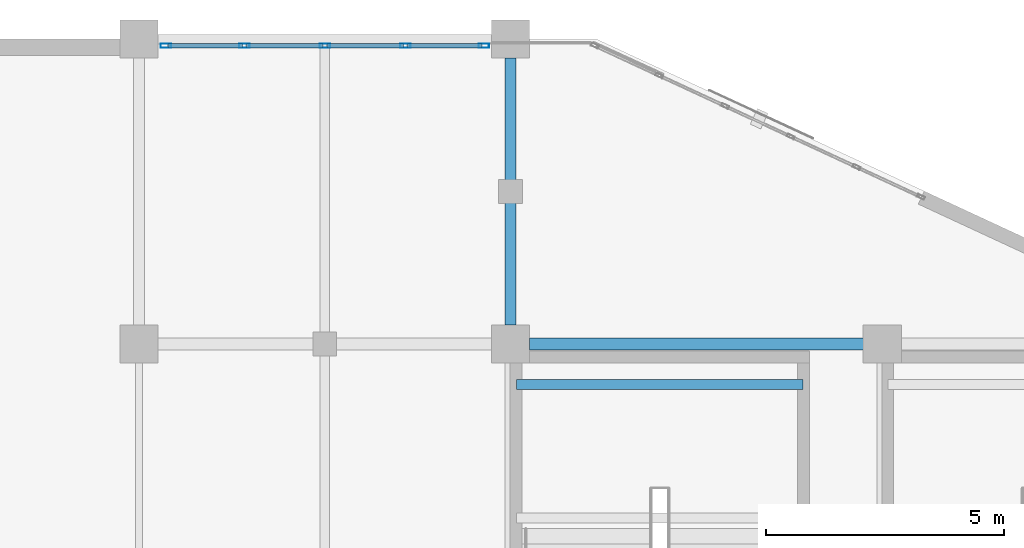
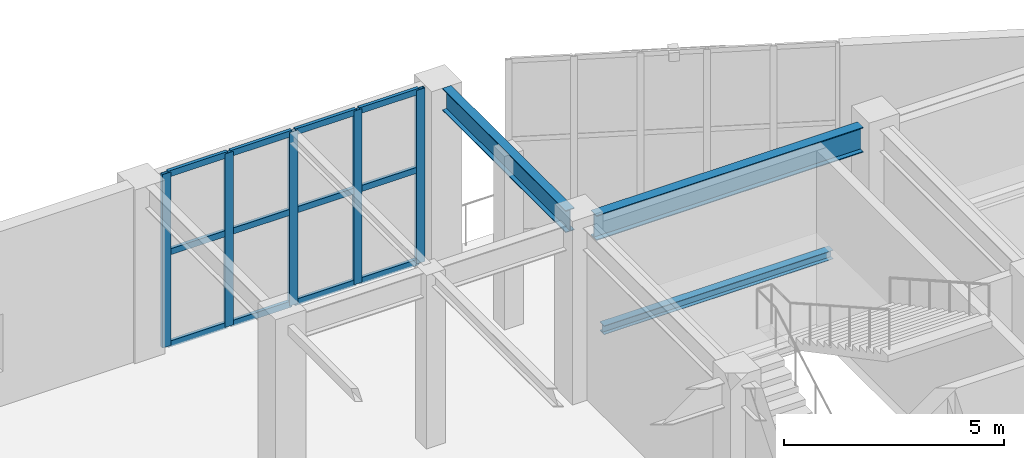
# One storey, part 91 of 128: 17 members, 3 beams, 1 element without a shape of its own.
"""IFC4 building model written with IfcOpenShell, lengths in metres."""

from ifc_helpers import new_model, si_unit, direction, frame, origin, origin_2d, place, context, subcontext, project, spatial, hollow_rectangle, i_section, extrude, material, layer, layer_set, material_profile, profile_set, type_object, element, aggregate, save


model = new_model("IFC4")

# Units and contexts
model_context = context("Model", 3, precision=1e-05, world=origin(), true_north=direction((0.0, 1.0)))
body_context = subcontext(model_context, "Body", "Model", "MODEL_VIEW")
ifc_project = project(units=[si_unit("LENGTHUNIT", "METRE"), si_unit("AREAUNIT", "SQUARE_METRE"), si_unit("VOLUMEUNIT", "CUBIC_METRE"), si_unit("PLANEANGLEUNIT", "RADIAN"), si_unit("MASSUNIT", "GRAM", prefix="KILO")], contexts=[model_context])

# Site, building, storey
site_placement = place(None, origin())
site = spatial("IfcSite", under=ifc_project, at=site_placement, CompositionType="ELEMENT")
building_placement = place(site_placement, origin())
building = spatial("IfcBuilding", under=site, at=building_placement, Name="Xicomal Pleat Aquarium", CompositionType="ELEMENT")
storey_placement = place(building_placement, frame((0.0, 0.0, 5.39990234375)))
storey = spatial("IfcBuildingStorey", under=building, at=storey_placement, Name="L02", CompositionType="ELEMENT", Elevation=5.39990234375)

# Beams
ifc_material_1 = material(Name="Structural steel A992 Gr 50", Category="steel")
ifc_material_profile_1 = material_profile(ifc_material_1, i_section(OverallWidth=0.201904296875, OverallDepth=0.2470703125, WebThickness=0.00732421875, FlangeThickness=0.010986328125, at=origin_2d()), Name="IR 250x49")
ifc_profile_set_1 = profile_set([ifc_material_profile_1], Name="Structural steel A992 Gr 50")
beam_type_1 = type_object("IfcBeamType", Name="BM-STL-IR250", PredefinedType="JOIST", material=ifc_profile_set_1)
beam_1_placement = place(storey_placement, frame((141.719970703125, 97.550048828125, 2.22900390625), z_axis=(1.0, 0.0, 0.0), x_axis=(0.0, 1.0, 0.0)))
element("IfcBeam", 1, at=beam_1_placement, inside=storey, type_object=beam_type_1, Name="ST-05-L02 half-landing bearer beam 1", PredefinedType="JOIST", context=body_context, shape_type="SweptSolid", body=[
    extrude(i_section(OverallWidth=0.201904296875, OverallDepth=0.2470703125, WebThickness=0.00732421875, FlangeThickness=0.010986328125, at=origin_2d()), origin(), (0.0, 0.0, 1.0), 6.02001953125),
])
ifc_material_2 = material(Name="Structural steel A992 Gr 50", Category="steel")
ifc_material_profile_2 = material_profile(ifc_material_2, i_section(OverallWidth=0.22998046875, OverallDepth=0.616943359375, WebThickness=0.01318359375, FlangeThickness=0.022216796875, at=origin_2d()), Name="IR 610x140")
ifc_profile_set_2 = profile_set([ifc_material_profile_2], Name="Structural steel A992 Gr 50")
beam_type_2 = type_object("IfcBeamType", Name="BM-STL-IR610", PredefinedType="BEAM", material=ifc_profile_set_2)
beam_2_placement = place(storey_placement, frame((141.60009765625, 98.794921875, 4.51171875), z_axis=(0.0, 1.0, 0.0), x_axis=(-1.0, 0.0, 0.0)))
element("IfcBeam", 2, at=beam_2_placement, inside=storey, type_object=beam_type_2, Name="L02 framing beam FGY-L02-18-P-Q", PredefinedType="BEAM", context=body_context, shape_type="SweptSolid", body=[
    extrude(i_section(OverallWidth=0.22998046875, OverallDepth=0.616943359375, WebThickness=0.01318359375, FlangeThickness=0.022216796875, at=origin_2d()), origin(), (0.0, 0.0, 1.0), 5.610107421875),
])
ifc_material_3 = material(Name="Structural steel A992 Gr 50", Category="steel")
ifc_material_profile_3 = material_profile(ifc_material_3, i_section(OverallWidth=0.256103515625, OverallDepth=0.693115234375, WebThickness=0.014404296875, FlangeThickness=0.023681640625, at=origin_2d()), Name="IR 690x170")
ifc_profile_set_3 = profile_set([ifc_material_profile_3], Name="Structural steel A992 Gr 50")
beam_type_3 = type_object("IfcBeamType", Name="BM-STL-IR690", PredefinedType="BEAM", material=ifc_profile_set_3)
beam_3_placement = place(storey_placement, frame((141.9951171875, 98.39990234375, 4.4736328125), z_axis=(1.0, 0.0, 0.0), x_axis=(0.0, 1.0, 0.0)))
element("IfcBeam", 3, at=beam_3_placement, inside=storey, type_object=beam_type_3, Name="L02 framing beam FGX-L02-18-19-P", PredefinedType="BEAM", context=body_context, shape_type="SweptSolid", body=[
    extrude(i_section(OverallWidth=0.256103515625, OverallDepth=0.693115234375, WebThickness=0.014404296875, FlangeThickness=0.023681640625, at=origin_2d()), origin(), (0.0, 0.0, 1.0), 7.009765625),
])

# Curtain wall, members
ifc_material_4 = material(Name="Bronze anodized aluminium 6063-T6", Category="aluminium")
ifc_layer = layer(ifc_material_4, 0.159912109375)
ifc_layer_set = layer_set([ifc_layer], Name="Bronze anodized aluminium 6063-T6")
curtain_wall_type = type_object("IfcCurtainWallType", Name="CW-SYS-12", PredefinedType="NOTDEFINED", material=ifc_layer_set)
curtain_wall_placement = place(storey_placement, origin())
curtain_wall = element("IfcCurtainWall", 4, at=curtain_wall_placement, inside=storey, type_object=curtain_wall_type, Name="L02 unitised curtain wall CW-L02-089", PredefinedType="NOTDEFINED")
ifc_material_5 = material(Name="Bronze anodized aluminium 6063-T6", Category="aluminium")
ifc_material_profile_4 = material_profile(ifc_material_5, hollow_rectangle(XDim=0.0849609375, YDim=0.219970703125, WallThickness=0.0048828125, at=origin_2d()), Name="ALU MULL 85x220")
ifc_profile_set_4 = profile_set([ifc_material_profile_4], Name="Bronze anodized aluminium 6063-T6")
member_type_1 = type_object("IfcMemberType", Name="CWM-85x220", PredefinedType="MULLION", material=ifc_profile_set_4)
member_1_placement = place(storey_placement, frame((134.362548828125, 104.659912109375, 0.0), z_axis=(0.0, 0.0, 1.0), x_axis=(0.0, 1.0, 0.0)))
member_1 = element("IfcMember", 5, at=member_1_placement, type_object=member_type_1, Name="CW-12 mullion 1", PredefinedType="MULLION", context=body_context, shape_type="SweptSolid", body=[
    extrude(hollow_rectangle(XDim=0.0849609375, YDim=0.219970703125, WallThickness=0.0048828125, at=origin_2d()), origin(), (0.0, 0.0, 1.0), 4.820068359375),
])
member_2_placement = place(storey_placement, frame((136.010009765625, 104.659912109375, 0.0), z_axis=(0.0, 0.0, 1.0), x_axis=(0.0, 1.0, 0.0)))
member_2 = element("IfcMember", 6, at=member_2_placement, type_object=member_type_1, Name="CW-12 mullion 2", PredefinedType="MULLION", context=body_context, shape_type="SweptSolid", body=[
    extrude(hollow_rectangle(XDim=0.0849609375, YDim=0.219970703125, WallThickness=0.0048828125, at=origin_2d()), origin(), (0.0, 0.0, 1.0), 4.820068359375),
])
member_3_placement = place(storey_placement, frame((137.699951171875, 104.659912109375, 0.0), z_axis=(0.0, 0.0, 1.0), x_axis=(0.0, 1.0, 0.0)))
member_3 = element("IfcMember", 7, at=member_3_placement, type_object=member_type_1, Name="CW-12 mullion 3", PredefinedType="MULLION", context=body_context, shape_type="SweptSolid", body=[
    extrude(hollow_rectangle(XDim=0.0849609375, YDim=0.219970703125, WallThickness=0.0048828125, at=origin_2d()), origin(), (0.0, 0.0, 1.0), 4.820068359375),
])
member_4_placement = place(storey_placement, frame((139.389892578125, 104.659912109375, 0.0), z_axis=(0.0, 0.0, 1.0), x_axis=(0.0, 1.0, 0.0)))
member_4 = element("IfcMember", 8, at=member_4_placement, type_object=member_type_1, Name="CW-12 mullion 4", PredefinedType="MULLION", context=body_context, shape_type="SweptSolid", body=[
    extrude(hollow_rectangle(XDim=0.0849609375, YDim=0.219970703125, WallThickness=0.0048828125, at=origin_2d()), origin(), (0.0, 0.0, 1.0), 4.820068359375),
])
member_5_placement = place(storey_placement, frame((141.03759765625, 104.659912109375, 0.0), z_axis=(0.0, 0.0, 1.0), x_axis=(0.0, 1.0, 0.0)))
member_5 = element("IfcMember", 9, at=member_5_placement, type_object=member_type_1, Name="CW-12 mullion 5", PredefinedType="MULLION", context=body_context, shape_type="SweptSolid", body=[
    extrude(hollow_rectangle(XDim=0.0849609375, YDim=0.219970703125, WallThickness=0.0048828125, at=origin_2d()), origin(), (0.0, 0.0, 1.0), 4.820068359375),
])
ifc_material_6 = material(Name="Bronze anodized aluminium 6063-T6", Category="aluminium")
ifc_material_profile_5 = material_profile(ifc_material_6, hollow_rectangle(XDim=0.0849609375, YDim=0.169921875, WallThickness=0.0048828125, at=origin_2d()), Name="ALU TRAN 85x170")
ifc_profile_set_5 = profile_set([ifc_material_profile_5], Name="Bronze anodized aluminium 6063-T6")
member_type_2 = type_object("IfcMemberType", Name="CWT-85x170", PredefinedType="USERDEFINED", material=ifc_profile_set_5)
member_6_placement = place(storey_placement, frame((134.405029296875, 104.659912109375, 0.04248046875), z_axis=(1.0, 0.0, 0.0), x_axis=(0.0, 1.0, 0.0)))
member_6 = element("IfcMember", 10, at=member_6_placement, type_object=member_type_2, Name="CW-12 transom 1.1", ObjectType="TRANSOM", PredefinedType="USERDEFINED", context=body_context, shape_type="SweptSolid", body=[
    extrude(hollow_rectangle(XDim=0.0849609375, YDim=0.169921875, WallThickness=0.0048828125, at=origin_2d()), origin(), (0.0, 0.0, 1.0), 1.5625),
])
member_7_placement = place(storey_placement, frame((134.405029296875, 104.659912109375, 2.60302734375), z_axis=(1.0, 0.0, 0.0), x_axis=(0.0, 1.0, 0.0)))
member_7 = element("IfcMember", 11, at=member_7_placement, type_object=member_type_2, Name="CW-12 transom 1.2", ObjectType="TRANSOM", PredefinedType="USERDEFINED", context=body_context, shape_type="SweptSolid", body=[
    extrude(hollow_rectangle(XDim=0.0849609375, YDim=0.169921875, WallThickness=0.0048828125, at=origin_2d()), origin(), (0.0, 0.0, 1.0), 1.5625),
])
member_8_placement = place(storey_placement, frame((134.405029296875, 104.659912109375, 4.777587890625), z_axis=(1.0, 0.0, 0.0), x_axis=(0.0, 1.0, 0.0)))
member_8 = element("IfcMember", 12, at=member_8_placement, type_object=member_type_2, Name="CW-12 transom 1.3", ObjectType="TRANSOM", PredefinedType="USERDEFINED", context=body_context, shape_type="SweptSolid", body=[
    extrude(hollow_rectangle(XDim=0.0849609375, YDim=0.169921875, WallThickness=0.0048828125, at=origin_2d()), origin(), (0.0, 0.0, 1.0), 1.5625),
])
member_9_placement = place(storey_placement, frame((136.052490234375, 104.659912109375, 0.04248046875), z_axis=(1.0, 0.0, 0.0), x_axis=(0.0, 1.0, 0.0)))
member_9 = element("IfcMember", 13, at=member_9_placement, type_object=member_type_2, Name="CW-12 transom 2.1", ObjectType="TRANSOM", PredefinedType="USERDEFINED", context=body_context, shape_type="SweptSolid", body=[
    extrude(hollow_rectangle(XDim=0.0849609375, YDim=0.169921875, WallThickness=0.0048828125, at=origin_2d()), origin(), (0.0, 0.0, 1.0), 1.60498046875),
])
member_10_placement = place(storey_placement, frame((136.052490234375, 104.659912109375, 2.60302734375), z_axis=(1.0, 0.0, 0.0), x_axis=(0.0, 1.0, 0.0)))
member_10 = element("IfcMember", 14, at=member_10_placement, type_object=member_type_2, Name="CW-12 transom 2.2", ObjectType="TRANSOM", PredefinedType="USERDEFINED", context=body_context, shape_type="SweptSolid", body=[
    extrude(hollow_rectangle(XDim=0.0849609375, YDim=0.169921875, WallThickness=0.0048828125, at=origin_2d()), origin(), (0.0, 0.0, 1.0), 1.60498046875),
])
member_11_placement = place(storey_placement, frame((136.052490234375, 104.659912109375, 4.777587890625), z_axis=(1.0, 0.0, 0.0), x_axis=(0.0, 1.0, 0.0)))
member_11 = element("IfcMember", 15, at=member_11_placement, type_object=member_type_2, Name="CW-12 transom 2.3", ObjectType="TRANSOM", PredefinedType="USERDEFINED", context=body_context, shape_type="SweptSolid", body=[
    extrude(hollow_rectangle(XDim=0.0849609375, YDim=0.169921875, WallThickness=0.0048828125, at=origin_2d()), origin(), (0.0, 0.0, 1.0), 1.60498046875),
])
member_12_placement = place(storey_placement, frame((137.742431640625, 104.659912109375, 0.04248046875), z_axis=(1.0, 0.0, 0.0), x_axis=(0.0, 1.0, 0.0)))
member_12 = element("IfcMember", 16, at=member_12_placement, type_object=member_type_2, Name="CW-12 transom 3.1", ObjectType="TRANSOM", PredefinedType="USERDEFINED", context=body_context, shape_type="SweptSolid", body=[
    extrude(hollow_rectangle(XDim=0.0849609375, YDim=0.169921875, WallThickness=0.0048828125, at=origin_2d()), origin(), (0.0, 0.0, 1.0), 1.60498046875),
])
member_13_placement = place(storey_placement, frame((137.742431640625, 104.659912109375, 2.60302734375), z_axis=(1.0, 0.0, 0.0), x_axis=(0.0, 1.0, 0.0)))
member_13 = element("IfcMember", 17, at=member_13_placement, type_object=member_type_2, Name="CW-12 transom 3.2", ObjectType="TRANSOM", PredefinedType="USERDEFINED", context=body_context, shape_type="SweptSolid", body=[
    extrude(hollow_rectangle(XDim=0.0849609375, YDim=0.169921875, WallThickness=0.0048828125, at=origin_2d()), origin(), (0.0, 0.0, 1.0), 1.60498046875),
])
member_14_placement = place(storey_placement, frame((137.742431640625, 104.659912109375, 4.777587890625), z_axis=(1.0, 0.0, 0.0), x_axis=(0.0, 1.0, 0.0)))
member_14 = element("IfcMember", 18, at=member_14_placement, type_object=member_type_2, Name="CW-12 transom 3.3", ObjectType="TRANSOM", PredefinedType="USERDEFINED", context=body_context, shape_type="SweptSolid", body=[
    extrude(hollow_rectangle(XDim=0.0849609375, YDim=0.169921875, WallThickness=0.0048828125, at=origin_2d()), origin(), (0.0, 0.0, 1.0), 1.60498046875),
])
member_15_placement = place(storey_placement, frame((139.4326171875, 104.659912109375, 0.04248046875), z_axis=(1.0, 0.0, 0.0), x_axis=(0.0, 1.0, 0.0)))
member_15 = element("IfcMember", 19, at=member_15_placement, type_object=member_type_2, Name="CW-12 transom 4.1", ObjectType="TRANSOM", PredefinedType="USERDEFINED", context=body_context, shape_type="SweptSolid", body=[
    extrude(hollow_rectangle(XDim=0.0849609375, YDim=0.169921875, WallThickness=0.0048828125, at=origin_2d()), origin(), (0.0, 0.0, 1.0), 1.5625),
])
member_16_placement = place(storey_placement, frame((139.4326171875, 104.659912109375, 2.60302734375), z_axis=(1.0, 0.0, 0.0), x_axis=(0.0, 1.0, 0.0)))
member_16 = element("IfcMember", 20, at=member_16_placement, type_object=member_type_2, Name="CW-12 transom 4.2", ObjectType="TRANSOM", PredefinedType="USERDEFINED", context=body_context, shape_type="SweptSolid", body=[
    extrude(hollow_rectangle(XDim=0.0849609375, YDim=0.169921875, WallThickness=0.0048828125, at=origin_2d()), origin(), (0.0, 0.0, 1.0), 1.5625),
])
member_17_placement = place(storey_placement, frame((139.4326171875, 104.659912109375, 4.777587890625), z_axis=(1.0, 0.0, 0.0), x_axis=(0.0, 1.0, 0.0)))
member_17 = element("IfcMember", 21, at=member_17_placement, type_object=member_type_2, Name="CW-12 transom 4.3", ObjectType="TRANSOM", PredefinedType="USERDEFINED", context=body_context, shape_type="SweptSolid", body=[
    extrude(hollow_rectangle(XDim=0.0849609375, YDim=0.169921875, WallThickness=0.0048828125, at=origin_2d()), origin(), (0.0, 0.0, 1.0), 1.5625),
])
aggregate(curtain_wall, [member_1, member_2, member_3, member_4, member_5, member_6, member_7, member_8, member_9, member_10, member_11, member_12, member_13, member_14, member_15, member_16, member_17])

save(model, "model.ifc")
